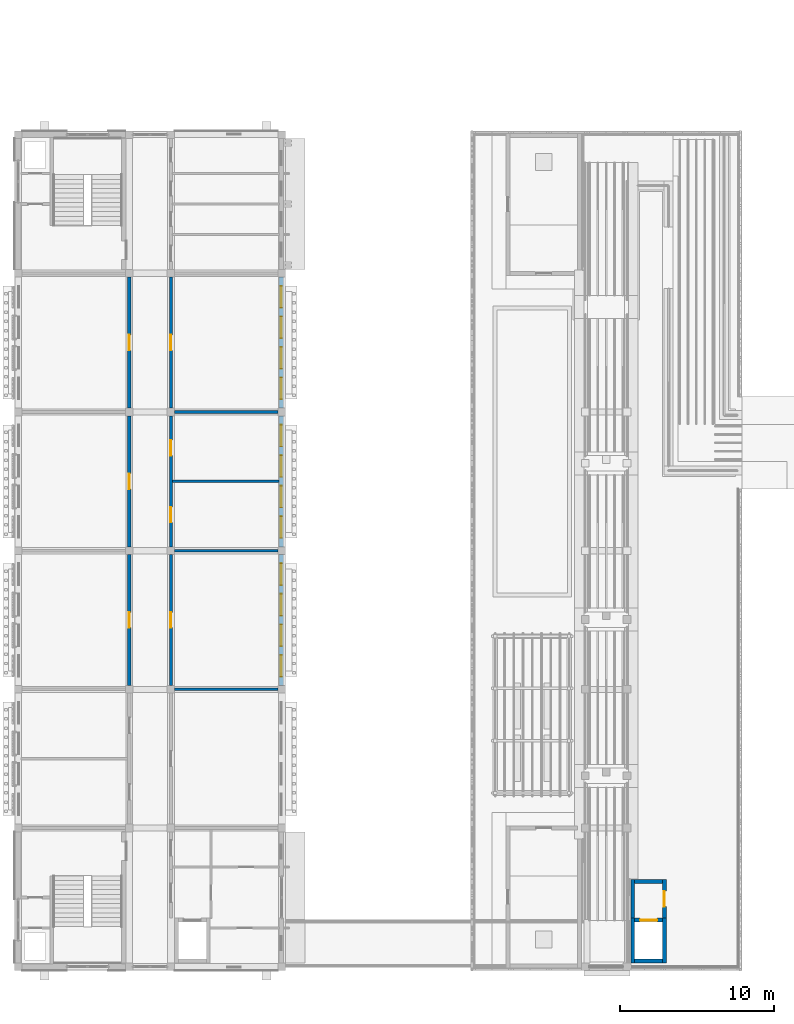
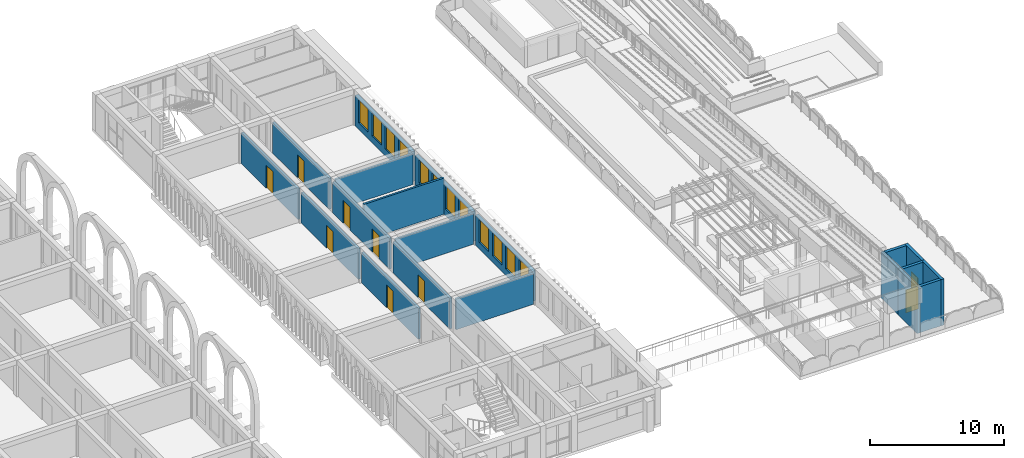
# One storey, part 44 of 70: 20 walls, 12 windows, 9 doors, 21 openings.
"""IFC4 building model written with IfcOpenShell, lengths in metres."""

from ifc_helpers import new_model, si_unit, direction, frame, frame_2d, origin, place, context, subcontext, project, spatial, rectangle, extrude, material, layer, layer_set, type_object, element, fill, save


model = new_model("IFC4")

# Units and contexts
model_context = context("Model", 3, precision=1e-05, world=origin(), true_north=direction((0.0, 1.0)))
body_context = subcontext(model_context, "Body", "Model", "MODEL_VIEW")
ifc_project = project(units=[si_unit("LENGTHUNIT", "METRE"), si_unit("AREAUNIT", "SQUARE_METRE"), si_unit("VOLUMEUNIT", "CUBIC_METRE"), si_unit("PLANEANGLEUNIT", "RADIAN"), si_unit("MASSUNIT", "GRAM", prefix="KILO")], contexts=[model_context])

# Site, building, storey
site_placement = place(None, origin())
site = spatial("IfcSite", under=ifc_project, at=site_placement, CompositionType="ELEMENT")
building_placement = place(site_placement, origin())
building = spatial("IfcBuilding", under=site, at=building_placement, Name="Elbe Cascade School", CompositionType="ELEMENT")
storey_placement = place(building_placement, frame((0.0, 0.0, 8.10009765625)))
storey = spatial("IfcBuildingStorey", under=building, at=storey_placement, Name="L02", CompositionType="ELEMENT", Elevation=8.10009765625)

# Walls
ifc_material_1 = material(Name="Masonry - lime-sand block, plastered", Category="masonry")
ifc_layer_1 = layer(ifc_material_1, 0.175048828125)
ifc_layer_set_1 = layer_set([ifc_layer_1], Name="Masonry - lime-sand block, plastered")
wall_type_1 = type_object("IfcWallType", Name="Bar classroom partition wall lime-sand block 175", PredefinedType="PARTITIONING", material=ifc_layer_set_1)
for number, where, z_axis, x_axis, name in (
    (1, (138.35009765625, 24.0, 0.0), (0.0, 0.0, 1.0), (1.0, 0.0, 0.0), "Bar classroom partition wall lime-sand block 175"),
    (2, (138.35009765625, 33.0, 0.0), (0.0, 0.0, 1.0), (1.0, 0.0, 0.0), "Bar classroom partition wall lime-sand block 175"),
):
    element("IfcWall", number, at=place(storey_placement, frame(where, z_axis=z_axis, x_axis=x_axis)), inside=storey, type_object=wall_type_1, Name=name, PredefinedType="PARTITIONING", context=body_context, shape_type="SweptSolid", body=[
        extrude(rectangle(XDim=6.699951171875, YDim=0.175048828125, at=frame_2d((3.35009765625, 0.0))), origin(), (0.0, 0.0, 1.0), 2.7998046875),
    ])
wall_1_placement = place(storey_placement, frame((138.199951171875, 37.5, 0.0), z_axis=(0.0, 0.0, 1.0), x_axis=(1.0, 0.0, 0.0)))
element("IfcWall", 3, at=wall_1_placement, inside=storey, type_object=wall_type_1, Name="Bar classroom partition wall lime-sand block 175", PredefinedType="PARTITIONING", context=body_context, shape_type="SweptSolid", body=[
    extrude(rectangle(XDim=6.920166015625, YDim=0.175048828125, at=frame_2d((3.4599609375, 0.0))), origin(), (0.0, 0.0, 1.0), 3.2998046875),
])
wall_2_placement = place(storey_placement, frame((138.35009765625, 42.0, 0.0), z_axis=(0.0, 0.0, 1.0), x_axis=(1.0, 0.0, 0.0)))
element("IfcWall", 4, at=wall_2_placement, inside=storey, type_object=wall_type_1, Name="Bar classroom partition wall lime-sand block 175", PredefinedType="PARTITIONING", context=body_context, shape_type="SweptSolid", body=[
    extrude(rectangle(XDim=6.699951171875, YDim=0.175048828125, at=frame_2d((3.35009765625, 0.0))), origin(), (0.0, 0.0, 1.0), 2.7998046875),
])

# Wall, opening, door
ifc_material_2 = material(Name="Masonry - lime-sand block, plastered", Category="masonry")
ifc_layer_2 = layer(ifc_material_2, 0.199951171875)
ifc_layer_set_2 = layer_set([ifc_layer_2], Name="Masonry - lime-sand block, plastered")
wall_type_2 = type_object("IfcWallType", Name="Bar corridor wall lime-sand block 200 EI 30", PredefinedType="PARTITIONING", material=ifc_layer_set_2)
wall_3_placement = place(storey_placement, frame((135.39990234375, 24.25, 0.0), z_axis=(0.0, 0.0, 1.0), x_axis=(0.0, 1.0, 0.0)))
wall_3 = element("IfcWall", 5, at=wall_3_placement, inside=storey, type_object=wall_type_2, Name="Bar corridor wall lime-sand block 200 EI 30", PredefinedType="PARTITIONING", context=body_context, shape_type="SweptSolid", body=[
    extrude(rectangle(XDim=8.5, YDim=0.199951171875, at=frame_2d((4.25, 0.0))), origin(), (0.0, 0.0, 1.0), 2.7998046875),
])
opening_1_placement = place(wall_3_placement, frame((3.75, 0.0, 0.0)))
opening_1 = element("IfcOpeningElement", 6, at=opening_1_placement, cuts=wall_3, Name="Opening D2.066", PredefinedType="OPENING", context=body_context, shape_type="SweptSolid", body=[
    extrude(rectangle(XDim=1.0, YDim=2.10009765625, at=frame_2d((0.5, 1.050048828125))), frame((0.0, 0.10986328125, 0.0), z_axis=(0.0, -1.0, 0.0), x_axis=(1.0, 0.0, 0.0)), (0.0, 0.0, 1.0), 0.219970703125),
])
ifc_material_3 = material(Name="Timber door leaf, fire-resisting, steel frame", Category="steel")
door_type_1 = type_object("IfcDoorType", Name="Bar door FD30 1000x2100", OperationType="NOTDEFINED", PredefinedType="DOOR", material=ifc_material_3)
door_1_placement = place(opening_1_placement, origin())
door_1 = element("IfcDoor", 7, at=door_1_placement, inside=storey, type_object=door_type_1, Name="Door C2.21", OperationType="SINGLE_SWING_RIGHT", OverallHeight=2.10009765625, OverallWidth=1.0, PredefinedType="DOOR", context=body_context, shape_type="SweptSolid", body=[
    extrude(rectangle(XDim=1.0, YDim=2.10009765625, at=frame_2d((0.5, 1.050048828125))), frame((0.0, 0.02490234375, 0.0), z_axis=(0.0, -1.0, 0.0), x_axis=(1.0, 0.0, 0.0)), (0.0, 0.0, 1.0), 0.050048828125),
])
fill(opening_1, door_1)

wall_4_placement = place(storey_placement, frame((135.39990234375, 33.25, 0.0), z_axis=(0.0, 0.0, 1.0), x_axis=(0.0, 1.0, 0.0)))
wall_4 = element("IfcWall", 8, at=wall_4_placement, inside=storey, type_object=wall_type_2, Name="Bar corridor wall lime-sand block 200 EI 30", PredefinedType="PARTITIONING", context=body_context, shape_type="SweptSolid", body=[
    extrude(rectangle(XDim=8.5, YDim=0.199951171875, at=frame_2d((4.25, 0.0))), origin(), (0.0, 0.0, 1.0), 2.7998046875),
])
opening_2_placement = place(wall_4_placement, frame((3.75, 0.0, 0.0)))
opening_2 = element("IfcOpeningElement", 9, at=opening_2_placement, cuts=wall_4, Name="Opening D2.069", PredefinedType="OPENING", context=body_context, shape_type="SweptSolid", body=[
    extrude(rectangle(XDim=1.0, YDim=2.10009765625, at=frame_2d((0.5, 1.050048828125))), frame((0.0, 0.10986328125, 0.0), z_axis=(0.0, -1.0, 0.0), x_axis=(1.0, 0.0, 0.0)), (0.0, 0.0, 1.0), 0.219970703125),
])
door_2_placement = place(opening_2_placement, origin())
door_2 = element("IfcDoor", 10, at=door_2_placement, inside=storey, type_object=door_type_1, Name="Door C2.22", OperationType="SINGLE_SWING_LEFT", OverallHeight=2.10009765625, OverallWidth=1.0, PredefinedType="DOOR", context=body_context, shape_type="SweptSolid", body=[
    extrude(rectangle(XDim=1.0, YDim=2.10009765625, at=frame_2d((0.5, 1.050048828125))), frame((0.0, 0.02490234375, 0.0), z_axis=(0.0, -1.0, 0.0), x_axis=(1.0, 0.0, 0.0)), (0.0, 0.0, 1.0), 0.050048828125),
])
fill(opening_2, door_2)

wall_5_placement = place(storey_placement, frame((135.39990234375, 42.25, 0.0), z_axis=(0.0, 0.0, 1.0), x_axis=(0.0, 1.0, 0.0)))
wall_5 = element("IfcWall", 11, at=wall_5_placement, inside=storey, type_object=wall_type_2, Name="Bar corridor wall lime-sand block 200 EI 30", PredefinedType="PARTITIONING", context=body_context, shape_type="SweptSolid", body=[
    extrude(rectangle(XDim=8.5, YDim=0.199951171875, at=frame_2d((4.25, 0.0))), origin(), (0.0, 0.0, 1.0), 2.7998046875),
])
opening_3_placement = place(wall_5_placement, frame((3.75, 0.0, 0.0)))
opening_3 = element("IfcOpeningElement", 12, at=opening_3_placement, cuts=wall_5, Name="Opening D2.071", PredefinedType="OPENING", context=body_context, shape_type="SweptSolid", body=[
    extrude(rectangle(XDim=1.0, YDim=2.10009765625, at=frame_2d((0.5, 1.050048828125))), frame((0.0, 0.10986328125, 0.0), z_axis=(0.0, -1.0, 0.0), x_axis=(1.0, 0.0, 0.0)), (0.0, 0.0, 1.0), 0.219970703125),
])
door_3_placement = place(opening_3_placement, origin())
door_3 = element("IfcDoor", 13, at=door_3_placement, inside=storey, type_object=door_type_1, Name="Door C2.23", OperationType="SINGLE_SWING_RIGHT", OverallHeight=2.10009765625, OverallWidth=1.0, PredefinedType="DOOR", context=body_context, shape_type="SweptSolid", body=[
    extrude(rectangle(XDim=1.0, YDim=2.10009765625, at=frame_2d((0.5, 1.050048828125))), frame((0.0, 0.02490234375, 0.0), z_axis=(0.0, -1.0, 0.0), x_axis=(1.0, 0.0, 0.0)), (0.0, 0.0, 1.0), 0.050048828125),
])
fill(opening_3, door_3)

wall_6_placement = place(storey_placement, frame((138.10009765625, 32.75, 0.0), z_axis=(0.0, 0.0, 1.0), x_axis=(0.0, -1.0, 0.0)))
wall_6 = element("IfcWall", 14, at=wall_6_placement, inside=storey, type_object=wall_type_2, Name="Bar corridor wall lime-sand block 200 EI 30", PredefinedType="PARTITIONING", context=body_context, shape_type="SweptSolid", body=[
    extrude(rectangle(XDim=8.5, YDim=0.199951171875, at=frame_2d((4.25, 0.0))), origin(), (0.0, 0.0, 1.0), 2.7998046875),
])
opening_4_placement = place(wall_6_placement, frame((3.75, 0.0, 0.0)))
opening_4 = element("IfcOpeningElement", 15, at=opening_4_placement, cuts=wall_6, Name="Opening D2.067", PredefinedType="OPENING", context=body_context, shape_type="SweptSolid", body=[
    extrude(rectangle(XDim=1.0, YDim=2.10009765625, at=frame_2d((0.5, 1.050048828125))), frame((0.0, 0.10986328125, 0.0), z_axis=(0.0, -1.0, 0.0), x_axis=(1.0, 0.0, 0.0)), (0.0, 0.0, 1.0), 0.219970703125),
])
door_4_placement = place(opening_4_placement, origin())
door_4 = element("IfcDoor", 16, at=door_4_placement, inside=storey, type_object=door_type_1, Name="Door C2.25", OperationType="SINGLE_SWING_RIGHT", OverallHeight=2.10009765625, OverallWidth=1.0, PredefinedType="DOOR", context=body_context, shape_type="SweptSolid", body=[
    extrude(rectangle(XDim=1.0, YDim=2.10009765625, at=frame_2d((0.5, 1.050048828125))), frame((0.0, 0.02490234375, 0.0), z_axis=(0.0, -1.0, 0.0), x_axis=(1.0, 0.0, 0.0)), (0.0, 0.0, 1.0), 0.050048828125),
])
fill(opening_4, door_4)

# Wall, openings, doors
wall_7_placement = place(storey_placement, frame((138.10009765625, 41.75, 0.0), z_axis=(0.0, 0.0, 1.0), x_axis=(0.0, -1.0, 0.0)))
wall_7 = element("IfcWall", 17, at=wall_7_placement, inside=storey, type_object=wall_type_2, Name="Bar corridor wall lime-sand block 200 EI 30", PredefinedType="PARTITIONING", context=body_context, shape_type="SweptSolid", body=[
    extrude(rectangle(XDim=8.5, YDim=0.199951171875, at=frame_2d((4.25, 0.0))), origin(), (0.0, 0.0, 1.0), 2.7998046875),
])
opening_5_placement = place(wall_7_placement, frame((5.918701171875, 0.0, 0.0)))
opening_5 = element("IfcOpeningElement", 18, at=opening_5_placement, cuts=wall_7, Name="Opening D2.068", PredefinedType="OPENING", context=body_context, shape_type="SweptSolid", body=[
    extrude(rectangle(XDim=1.0, YDim=2.10009765625, at=frame_2d((0.5, 1.050048828125))), frame((0.0, 0.10986328125, 0.0), z_axis=(0.0, -1.0, 0.0), x_axis=(1.0, 0.0, 0.0)), (0.0, 0.0, 1.0), 0.219970703125),
])
opening_6_placement = place(wall_7_placement, frame((1.581298828125, 0.0, 0.0)))
opening_6 = element("IfcOpeningElement", 19, at=opening_6_placement, cuts=wall_7, Name="Opening D2.070", PredefinedType="OPENING", context=body_context, shape_type="SweptSolid", body=[
    extrude(rectangle(XDim=1.0, YDim=2.10009765625, at=frame_2d((0.5, 1.050048828125))), frame((0.0, 0.10986328125, 0.0), z_axis=(0.0, -1.0, 0.0), x_axis=(1.0, 0.0, 0.0)), (0.0, 0.0, 1.0), 0.219970703125),
])
door_5_placement = place(opening_5_placement, origin())
door_5 = element("IfcDoor", 20, at=door_5_placement, inside=storey, type_object=door_type_1, Name="Door C2.26", OperationType="SINGLE_SWING_LEFT", OverallHeight=2.10009765625, OverallWidth=1.0, PredefinedType="DOOR", context=body_context, shape_type="SweptSolid", body=[
    extrude(rectangle(XDim=1.0, YDim=2.10009765625, at=frame_2d((0.5, 1.050048828125))), frame((0.0, 0.02490234375, 0.0), z_axis=(0.0, -1.0, 0.0), x_axis=(1.0, 0.0, 0.0)), (0.0, 0.0, 1.0), 0.050048828125),
])
fill(opening_5, door_5)
door_6_placement = place(opening_6_placement, origin())
door_6 = element("IfcDoor", 21, at=door_6_placement, inside=storey, type_object=door_type_1, Name="Door C2.27", OperationType="SINGLE_SWING_RIGHT", OverallHeight=2.10009765625, OverallWidth=1.0, PredefinedType="DOOR", context=body_context, shape_type="SweptSolid", body=[
    extrude(rectangle(XDim=1.0, YDim=2.10009765625, at=frame_2d((0.5, 1.050048828125))), frame((0.0, 0.02490234375, 0.0), z_axis=(0.0, -1.0, 0.0), x_axis=(1.0, 0.0, 0.0)), (0.0, 0.0, 1.0), 0.050048828125),
])
fill(opening_6, door_6)

# Wall, opening, door
wall_8_placement = place(storey_placement, frame((138.10009765625, 50.75, 0.0), z_axis=(0.0, 0.0, 1.0), x_axis=(0.0, -1.0, 0.0)))
wall_8 = element("IfcWall", 22, at=wall_8_placement, inside=storey, type_object=wall_type_2, Name="Bar corridor wall lime-sand block 200 EI 30", PredefinedType="PARTITIONING", context=body_context, shape_type="SweptSolid", body=[
    extrude(rectangle(XDim=8.5, YDim=0.199951171875, at=frame_2d((4.25, 0.0))), origin(), (0.0, 0.0, 1.0), 2.7998046875),
])
opening_7_placement = place(wall_8_placement, frame((3.75, 0.0, 0.0)))
opening_7 = element("IfcOpeningElement", 23, at=opening_7_placement, cuts=wall_8, Name="Opening D2.072", PredefinedType="OPENING", context=body_context, shape_type="SweptSolid", body=[
    extrude(rectangle(XDim=1.0, YDim=2.10009765625, at=frame_2d((0.5, 1.050048828125))), frame((0.0, 0.10986328125, 0.0), z_axis=(0.0, -1.0, 0.0), x_axis=(1.0, 0.0, 0.0)), (0.0, 0.0, 1.0), 0.219970703125),
])
door_7_placement = place(opening_7_placement, origin())
door_7 = element("IfcDoor", 24, at=door_7_placement, inside=storey, type_object=door_type_1, Name="Door C2.28", OperationType="SINGLE_SWING_LEFT", OverallHeight=2.10009765625, OverallWidth=1.0, PredefinedType="DOOR", context=body_context, shape_type="SweptSolid", body=[
    extrude(rectangle(XDim=1.0, YDim=2.10009765625, at=frame_2d((0.5, 1.050048828125))), frame((0.0, 0.02490234375, 0.0), z_axis=(0.0, -1.0, 0.0), x_axis=(1.0, 0.0, 0.0)), (0.0, 0.0, 1.0), 0.050048828125),
])
fill(opening_7, door_7)

# Wall, openings, windows
ifc_material_4 = material(Name="Brick masonry - red clinker, cavity wall with render backing", Category="masonry")
ifc_layer_3 = layer(ifc_material_4, 0.300048828125)
ifc_layer_set_3 = layer_set([ifc_layer_3], Name="Brick masonry - red clinker, cavity wall with render backing")
wall_type_3 = type_object("IfcWallType", Name="Bars envelope External wall - clinker brick cavity, 300 upper floors", PredefinedType="STANDARD", material=ifc_layer_set_3)
wall_9_placement = place(storey_placement, frame((145.27001953125, 32.75, 0.0), z_axis=(0.0, 0.0, 1.0), x_axis=(0.0, -1.0, 0.0)))
wall_9 = element("IfcWall", 25, at=wall_9_placement, inside=storey, type_object=wall_type_3, Name="External wall W30 C.L02.e3", PredefinedType="STANDARD", context=body_context, shape_type="SweptSolid", body=[
    extrude(rectangle(XDim=8.5, YDim=0.300048828125, at=frame_2d((4.25, 0.0))), origin(), (0.0, 0.0, 1.0), 2.75),
])
opening_8_placement = place(wall_9_placement, frame((6.52001953125, 0.0, 0.60009765625)))
opening_8 = element("IfcOpeningElement", 26, at=opening_8_placement, cuts=wall_9, Name="Opening W2.091", PredefinedType="OPENING", context=body_context, shape_type="SweptSolid", body=[
    extrude(rectangle(XDim=1.39990234375, YDim=2.10009765625, at=frame_2d((0.699951171875, 1.050048828125))), frame((0.0, 0.159912109375, 0.0), z_axis=(0.0, -1.0, 0.0), x_axis=(1.0, 0.0, 0.0)), (0.0, 0.0, 1.0), 0.320068359375),
])
opening_9_placement = place(wall_9_placement, frame((4.5400390625, 0.0, 0.60009765625)))
opening_9 = element("IfcOpeningElement", 27, at=opening_9_placement, cuts=wall_9, Name="Opening W2.093", PredefinedType="OPENING", context=body_context, shape_type="SweptSolid", body=[
    extrude(rectangle(XDim=1.39990234375, YDim=2.10009765625, at=frame_2d((0.699951171875, 1.050048828125))), frame((0.0, 0.159912109375, 0.0), z_axis=(0.0, -1.0, 0.0), x_axis=(1.0, 0.0, 0.0)), (0.0, 0.0, 1.0), 0.320068359375),
])
opening_10_placement = place(wall_9_placement, frame((2.56005859375, 0.0, 0.60009765625)))
opening_10 = element("IfcOpeningElement", 28, at=opening_10_placement, cuts=wall_9, Name="Opening W2.095", PredefinedType="OPENING", context=body_context, shape_type="SweptSolid", body=[
    extrude(rectangle(XDim=1.39990234375, YDim=2.10009765625, at=frame_2d((0.699951171875, 1.050048828125))), frame((0.0, 0.159912109375, 0.0), z_axis=(0.0, -1.0, 0.0), x_axis=(1.0, 0.0, 0.0)), (0.0, 0.0, 1.0), 0.320068359375),
])
opening_11_placement = place(wall_9_placement, frame((0.580078125, 0.0, 0.60009765625)))
opening_11 = element("IfcOpeningElement", 29, at=opening_11_placement, cuts=wall_9, Name="Opening W2.097", PredefinedType="OPENING", context=body_context, shape_type="SweptSolid", body=[
    extrude(rectangle(XDim=1.39990234375, YDim=2.10009765625, at=frame_2d((0.699951171875, 1.050048828125))), frame((0.0, 0.159912109375, 0.0), z_axis=(0.0, -1.0, 0.0), x_axis=(1.0, 0.0, 0.0)), (0.0, 0.0, 1.0), 0.320068359375),
])
ifc_material_5 = material(Name="Aluminium frame with double glazing, bronze anodised", Category="aluminium")
window_type = type_object("IfcWindowType", Name="Bars envelope Window 1400 x 2100, classroom, aluminium double glazed", PartitioningType="DOUBLE_PANEL_VERTICAL", PredefinedType="WINDOW", material=ifc_material_5)
window_1_placement = place(opening_8_placement, origin())
window_1 = element("IfcWindow", 30, at=window_1_placement, inside=storey, type_object=window_type, Name="Window WN8 C.L02.e3.1", OverallHeight=2.10009765625, OverallWidth=1.39990234375, PartitioningType="DOUBLE_PANEL_VERTICAL", PredefinedType="WINDOW", context=body_context, shape_type="SweptSolid", body=[
    extrude(rectangle(XDim=1.39990234375, YDim=2.10009765625, at=frame_2d((0.699951171875, 1.050048828125))), frame((0.0, 0.030029296875, 0.0), z_axis=(0.0, -1.0, 0.0), x_axis=(1.0, 0.0, 0.0)), (0.0, 0.0, 1.0), 0.06005859375),
])
fill(opening_8, window_1)
window_2_placement = place(opening_9_placement, origin())
window_2 = element("IfcWindow", 31, at=window_2_placement, inside=storey, type_object=window_type, Name="Window WN8 C.L02.e3.2", OverallHeight=2.10009765625, OverallWidth=1.39990234375, PartitioningType="DOUBLE_PANEL_VERTICAL", PredefinedType="WINDOW", context=body_context, shape_type="SweptSolid", body=[
    extrude(rectangle(XDim=1.39990234375, YDim=2.10009765625, at=frame_2d((0.699951171875, 1.050048828125))), frame((0.0, 0.030029296875, 0.0), z_axis=(0.0, -1.0, 0.0), x_axis=(1.0, 0.0, 0.0)), (0.0, 0.0, 1.0), 0.06005859375),
])
fill(opening_9, window_2)
window_3_placement = place(opening_10_placement, origin())
window_3 = element("IfcWindow", 32, at=window_3_placement, inside=storey, type_object=window_type, Name="Window WN8 C.L02.e3.3", OverallHeight=2.10009765625, OverallWidth=1.39990234375, PartitioningType="DOUBLE_PANEL_VERTICAL", PredefinedType="WINDOW", context=body_context, shape_type="SweptSolid", body=[
    extrude(rectangle(XDim=1.39990234375, YDim=2.10009765625, at=frame_2d((0.699951171875, 1.050048828125))), frame((0.0, 0.030029296875, 0.0), z_axis=(0.0, -1.0, 0.0), x_axis=(1.0, 0.0, 0.0)), (0.0, 0.0, 1.0), 0.06005859375),
])
fill(opening_10, window_3)
window_4_placement = place(opening_11_placement, origin())
window_4 = element("IfcWindow", 33, at=window_4_placement, inside=storey, type_object=window_type, Name="Window WN8 C.L02.e3.4", OverallHeight=2.10009765625, OverallWidth=1.39990234375, PartitioningType="DOUBLE_PANEL_VERTICAL", PredefinedType="WINDOW", context=body_context, shape_type="SweptSolid", body=[
    extrude(rectangle(XDim=1.39990234375, YDim=2.10009765625, at=frame_2d((0.699951171875, 1.050048828125))), frame((0.0, 0.030029296875, 0.0), z_axis=(0.0, -1.0, 0.0), x_axis=(1.0, 0.0, 0.0)), (0.0, 0.0, 1.0), 0.06005859375),
])
fill(opening_11, window_4)

wall_10_placement = place(storey_placement, frame((145.27001953125, 41.75, 0.0), z_axis=(0.0, 0.0, 1.0), x_axis=(0.0, -1.0, 0.0)))
wall_10 = element("IfcWall", 34, at=wall_10_placement, inside=storey, type_object=wall_type_3, Name="External wall W30 C.L02.e4", PredefinedType="STANDARD", context=body_context, shape_type="SweptSolid", body=[
    extrude(rectangle(XDim=8.5, YDim=0.300048828125, at=frame_2d((4.25, 0.0))), origin(), (0.0, 0.0, 1.0), 2.75),
])
opening_12_placement = place(wall_10_placement, frame((6.52001953125, 0.0, 0.60009765625)))
opening_12 = element("IfcOpeningElement", 35, at=opening_12_placement, cuts=wall_10, Name="Opening W2.099", PredefinedType="OPENING", context=body_context, shape_type="SweptSolid", body=[
    extrude(rectangle(XDim=1.39990234375, YDim=2.10009765625, at=frame_2d((0.699951171875, 1.050048828125))), frame((0.0, 0.159912109375, 0.0), z_axis=(0.0, -1.0, 0.0), x_axis=(1.0, 0.0, 0.0)), (0.0, 0.0, 1.0), 0.320068359375),
])
opening_13_placement = place(wall_10_placement, frame((4.5400390625, 0.0, 0.60009765625)))
opening_13 = element("IfcOpeningElement", 36, at=opening_13_placement, cuts=wall_10, Name="Opening W2.101", PredefinedType="OPENING", context=body_context, shape_type="SweptSolid", body=[
    extrude(rectangle(XDim=1.39990234375, YDim=2.10009765625, at=frame_2d((0.699951171875, 1.050048828125))), frame((0.0, 0.159912109375, 0.0), z_axis=(0.0, -1.0, 0.0), x_axis=(1.0, 0.0, 0.0)), (0.0, 0.0, 1.0), 0.320068359375),
])
opening_14_placement = place(wall_10_placement, frame((2.56005859375, 0.0, 0.60009765625)))
opening_14 = element("IfcOpeningElement", 37, at=opening_14_placement, cuts=wall_10, Name="Opening W2.103", PredefinedType="OPENING", context=body_context, shape_type="SweptSolid", body=[
    extrude(rectangle(XDim=1.39990234375, YDim=2.10009765625, at=frame_2d((0.699951171875, 1.050048828125))), frame((0.0, 0.159912109375, 0.0), z_axis=(0.0, -1.0, 0.0), x_axis=(1.0, 0.0, 0.0)), (0.0, 0.0, 1.0), 0.320068359375),
])
opening_15_placement = place(wall_10_placement, frame((0.580078125, 0.0, 0.60009765625)))
opening_15 = element("IfcOpeningElement", 38, at=opening_15_placement, cuts=wall_10, Name="Opening W2.105", PredefinedType="OPENING", context=body_context, shape_type="SweptSolid", body=[
    extrude(rectangle(XDim=1.39990234375, YDim=2.10009765625, at=frame_2d((0.699951171875, 1.050048828125))), frame((0.0, 0.159912109375, 0.0), z_axis=(0.0, -1.0, 0.0), x_axis=(1.0, 0.0, 0.0)), (0.0, 0.0, 1.0), 0.320068359375),
])
window_5_placement = place(opening_12_placement, origin())
window_5 = element("IfcWindow", 39, at=window_5_placement, inside=storey, type_object=window_type, Name="Window WN8 C.L02.e4.1", OverallHeight=2.10009765625, OverallWidth=1.39990234375, PartitioningType="DOUBLE_PANEL_VERTICAL", PredefinedType="WINDOW", context=body_context, shape_type="SweptSolid", body=[
    extrude(rectangle(XDim=1.39990234375, YDim=2.10009765625, at=frame_2d((0.699951171875, 1.050048828125))), frame((0.0, 0.030029296875, 0.0), z_axis=(0.0, -1.0, 0.0), x_axis=(1.0, 0.0, 0.0)), (0.0, 0.0, 1.0), 0.06005859375),
])
fill(opening_12, window_5)
window_6_placement = place(opening_13_placement, origin())
window_6 = element("IfcWindow", 40, at=window_6_placement, inside=storey, type_object=window_type, Name="Window WN8 C.L02.e4.2", OverallHeight=2.10009765625, OverallWidth=1.39990234375, PartitioningType="DOUBLE_PANEL_VERTICAL", PredefinedType="WINDOW", context=body_context, shape_type="SweptSolid", body=[
    extrude(rectangle(XDim=1.39990234375, YDim=2.10009765625, at=frame_2d((0.699951171875, 1.050048828125))), frame((0.0, 0.030029296875, 0.0), z_axis=(0.0, -1.0, 0.0), x_axis=(1.0, 0.0, 0.0)), (0.0, 0.0, 1.0), 0.06005859375),
])
fill(opening_13, window_6)
window_7_placement = place(opening_14_placement, origin())
window_7 = element("IfcWindow", 41, at=window_7_placement, inside=storey, type_object=window_type, Name="Window WN8 C.L02.e4.3", OverallHeight=2.10009765625, OverallWidth=1.39990234375, PartitioningType="DOUBLE_PANEL_VERTICAL", PredefinedType="WINDOW", context=body_context, shape_type="SweptSolid", body=[
    extrude(rectangle(XDim=1.39990234375, YDim=2.10009765625, at=frame_2d((0.699951171875, 1.050048828125))), frame((0.0, 0.030029296875, 0.0), z_axis=(0.0, -1.0, 0.0), x_axis=(1.0, 0.0, 0.0)), (0.0, 0.0, 1.0), 0.06005859375),
])
fill(opening_14, window_7)
window_8_placement = place(opening_15_placement, origin())
window_8 = element("IfcWindow", 42, at=window_8_placement, inside=storey, type_object=window_type, Name="Window WN8 C.L02.e4.4", OverallHeight=2.10009765625, OverallWidth=1.39990234375, PartitioningType="DOUBLE_PANEL_VERTICAL", PredefinedType="WINDOW", context=body_context, shape_type="SweptSolid", body=[
    extrude(rectangle(XDim=1.39990234375, YDim=2.10009765625, at=frame_2d((0.699951171875, 1.050048828125))), frame((0.0, 0.030029296875, 0.0), z_axis=(0.0, -1.0, 0.0), x_axis=(1.0, 0.0, 0.0)), (0.0, 0.0, 1.0), 0.06005859375),
])
fill(opening_15, window_8)

wall_11_placement = place(storey_placement, frame((145.27001953125, 50.75, 0.0), z_axis=(0.0, 0.0, 1.0), x_axis=(0.0, -1.0, 0.0)))
wall_11 = element("IfcWall", 43, at=wall_11_placement, inside=storey, type_object=wall_type_3, Name="External wall W30 C.L02.e5", PredefinedType="STANDARD", context=body_context, shape_type="SweptSolid", body=[
    extrude(rectangle(XDim=8.5, YDim=0.300048828125, at=frame_2d((4.25, 0.0))), origin(), (0.0, 0.0, 1.0), 2.75),
])
opening_16_placement = place(wall_11_placement, frame((6.52001953125, 0.0, 0.60009765625)))
opening_16 = element("IfcOpeningElement", 44, at=opening_16_placement, cuts=wall_11, Name="Opening W2.107", PredefinedType="OPENING", context=body_context, shape_type="SweptSolid", body=[
    extrude(rectangle(XDim=1.39990234375, YDim=2.10009765625, at=frame_2d((0.699951171875, 1.050048828125))), frame((0.0, 0.159912109375, 0.0), z_axis=(0.0, -1.0, 0.0), x_axis=(1.0, 0.0, 0.0)), (0.0, 0.0, 1.0), 0.320068359375),
])
opening_17_placement = place(wall_11_placement, frame((4.5400390625, 0.0, 0.60009765625)))
opening_17 = element("IfcOpeningElement", 45, at=opening_17_placement, cuts=wall_11, Name="Opening W2.109", PredefinedType="OPENING", context=body_context, shape_type="SweptSolid", body=[
    extrude(rectangle(XDim=1.39990234375, YDim=2.10009765625, at=frame_2d((0.699951171875, 1.050048828125))), frame((0.0, 0.159912109375, 0.0), z_axis=(0.0, -1.0, 0.0), x_axis=(1.0, 0.0, 0.0)), (0.0, 0.0, 1.0), 0.320068359375),
])
opening_18_placement = place(wall_11_placement, frame((2.56005859375, 0.0, 0.60009765625)))
opening_18 = element("IfcOpeningElement", 46, at=opening_18_placement, cuts=wall_11, Name="Opening W2.111", PredefinedType="OPENING", context=body_context, shape_type="SweptSolid", body=[
    extrude(rectangle(XDim=1.39990234375, YDim=2.10009765625, at=frame_2d((0.699951171875, 1.050048828125))), frame((0.0, 0.159912109375, 0.0), z_axis=(0.0, -1.0, 0.0), x_axis=(1.0, 0.0, 0.0)), (0.0, 0.0, 1.0), 0.320068359375),
])
opening_19_placement = place(wall_11_placement, frame((0.580078125, 0.0, 0.60009765625)))
opening_19 = element("IfcOpeningElement", 47, at=opening_19_placement, cuts=wall_11, Name="Opening W2.113", PredefinedType="OPENING", context=body_context, shape_type="SweptSolid", body=[
    extrude(rectangle(XDim=1.39990234375, YDim=2.10009765625, at=frame_2d((0.699951171875, 1.050048828125))), frame((0.0, 0.159912109375, 0.0), z_axis=(0.0, -1.0, 0.0), x_axis=(1.0, 0.0, 0.0)), (0.0, 0.0, 1.0), 0.320068359375),
])
window_9_placement = place(opening_16_placement, origin())
window_9 = element("IfcWindow", 48, at=window_9_placement, inside=storey, type_object=window_type, Name="Window WN8 C.L02.e5.1", OverallHeight=2.10009765625, OverallWidth=1.39990234375, PartitioningType="DOUBLE_PANEL_VERTICAL", PredefinedType="WINDOW", context=body_context, shape_type="SweptSolid", body=[
    extrude(rectangle(XDim=1.39990234375, YDim=2.10009765625, at=frame_2d((0.699951171875, 1.050048828125))), frame((0.0, 0.030029296875, 0.0), z_axis=(0.0, -1.0, 0.0), x_axis=(1.0, 0.0, 0.0)), (0.0, 0.0, 1.0), 0.06005859375),
])
fill(opening_16, window_9)
window_10_placement = place(opening_17_placement, origin())
window_10 = element("IfcWindow", 49, at=window_10_placement, inside=storey, type_object=window_type, Name="Window WN8 C.L02.e5.2", OverallHeight=2.10009765625, OverallWidth=1.39990234375, PartitioningType="DOUBLE_PANEL_VERTICAL", PredefinedType="WINDOW", context=body_context, shape_type="SweptSolid", body=[
    extrude(rectangle(XDim=1.39990234375, YDim=2.10009765625, at=frame_2d((0.699951171875, 1.050048828125))), frame((0.0, 0.030029296875, 0.0), z_axis=(0.0, -1.0, 0.0), x_axis=(1.0, 0.0, 0.0)), (0.0, 0.0, 1.0), 0.06005859375),
])
fill(opening_17, window_10)
window_11_placement = place(opening_18_placement, origin())
window_11 = element("IfcWindow", 50, at=window_11_placement, inside=storey, type_object=window_type, Name="Window WN8 C.L02.e5.3", OverallHeight=2.10009765625, OverallWidth=1.39990234375, PartitioningType="DOUBLE_PANEL_VERTICAL", PredefinedType="WINDOW", context=body_context, shape_type="SweptSolid", body=[
    extrude(rectangle(XDim=1.39990234375, YDim=2.10009765625, at=frame_2d((0.699951171875, 1.050048828125))), frame((0.0, 0.030029296875, 0.0), z_axis=(0.0, -1.0, 0.0), x_axis=(1.0, 0.0, 0.0)), (0.0, 0.0, 1.0), 0.06005859375),
])
fill(opening_18, window_11)
window_12_placement = place(opening_19_placement, origin())
window_12 = element("IfcWindow", 51, at=window_12_placement, inside=storey, type_object=window_type, Name="Window WN8 C.L02.e5.4", OverallHeight=2.10009765625, OverallWidth=1.39990234375, PartitioningType="DOUBLE_PANEL_VERTICAL", PredefinedType="WINDOW", context=body_context, shape_type="SweptSolid", body=[
    extrude(rectangle(XDim=1.39990234375, YDim=2.10009765625, at=frame_2d((0.699951171875, 1.050048828125))), frame((0.0, 0.030029296875, 0.0), z_axis=(0.0, -1.0, 0.0), x_axis=(1.0, 0.0, 0.0)), (0.0, 0.0, 1.0), 0.06005859375),
])
fill(opening_19, window_12)

# Wall
ifc_material_6 = material(Name="Concrete C30/37", Category="concrete")
ifc_layer_4 = layer(ifc_material_6, 0.25)
ifc_layer_set_4 = layer_set([ifc_layer_4], Name="Concrete C30/37")
wall_type_4 = type_object("IfcWallType", Name="Head-house wall 250 EI 90", PredefinedType="SOLIDWALL", material=ifc_layer_set_4)
wall_12_placement = place(storey_placement, frame((168.074951171875, 9.14990234375, 0.0), z_axis=(0.0, 0.0, 1.0), x_axis=(0.0, 1.0, 0.0)))
element("IfcWall", 52, at=wall_12_placement, inside=storey, type_object=wall_type_4, Name="Head-house wall 250 EI 90 W44", PredefinedType="SOLIDWALL", context=body_context, shape_type="SweptSolid", body=[
    extrude(rectangle(XDim=2.5, YDim=0.25, at=frame_2d((1.25, 0.0))), origin(), (0.0, 0.0, 1.0), 4.199951171875),
])

# Wall, opening, door
wall_13_placement = place(storey_placement, frame((170.125, 11.64990234375, 0.0), z_axis=(0.0, 0.0, 1.0), x_axis=(0.0, -1.0, 0.0)))
wall_13 = element("IfcWall", 53, at=wall_13_placement, inside=storey, type_object=wall_type_4, Name="Head-house wall 250 EI 90 W44", PredefinedType="SOLIDWALL", context=body_context, shape_type="SweptSolid", body=[
    extrude(rectangle(XDim=2.5, YDim=0.25, at=frame_2d((1.25, 0.0))), origin(), (0.0, 0.0, 1.0), 4.199951171875),
])
opening_20_placement = place(wall_13_placement, frame((0.75, 0.0, 0.0)))
opening_20 = element("IfcOpeningElement", 54, at=opening_20_placement, cuts=wall_13, Name="Opening D2.081", PredefinedType="OPENING", context=body_context, shape_type="SweptSolid", body=[
    extrude(rectangle(XDim=1.0, YDim=2.10009765625, at=frame_2d((0.5, 1.050048828125))), frame((0.0, 0.135009765625, 0.0), z_axis=(0.0, -1.0, 0.0), x_axis=(1.0, 0.0, 0.0)), (0.0, 0.0, 1.0), 0.27001953125),
])
ifc_material_7 = material(Name="Head-house door 1000x2100")
door_type_2 = type_object("IfcDoorType", Name="Head-house door 1000x2100", OperationType="SINGLE_SWING_RIGHT", PredefinedType="DOOR", material=ifc_material_7)
door_8_placement = place(opening_20_placement, origin())
door_8 = element("IfcDoor", 55, at=door_8_placement, inside=storey, type_object=door_type_2, Name="Head-house door 1000x2100 D2.081", OperationType="SINGLE_SWING_RIGHT", OverallHeight=2.10009765625, OverallWidth=1.0, PredefinedType="DOOR", context=body_context, shape_type="SweptSolid", body=[
    extrude(rectangle(XDim=1.0, YDim=2.10009765625, at=frame_2d((0.5, 1.050048828125))), frame((0.0, 0.02490234375, 0.0), z_axis=(0.0, -1.0, 0.0), x_axis=(1.0, 0.0, 0.0)), (0.0, 0.0, 1.0), 0.050048828125),
])
fill(opening_20, door_8)

# Walls
wall_14_placement = place(storey_placement, frame((168.199951171875, 11.52490234375, 0.0), z_axis=(0.0, 0.0, 1.0), x_axis=(1.0, 0.0, 0.0)))
element("IfcWall", 56, at=wall_14_placement, inside=storey, type_object=wall_type_4, Name="Head-house wall 250 EI 90 W44", PredefinedType="SOLIDWALL", context=body_context, shape_type="SweptSolid", body=[
    extrude(rectangle(XDim=1.800048828125, YDim=0.25, at=frame_2d((0.89990234375, 0.0))), origin(), (0.0, 0.0, 1.0), 4.199951171875),
])
ifc_material_8 = material(Name="Concrete C30/37", Category="concrete")
ifc_layer_5 = layer(ifc_material_8, 0.25)
ifc_layer_set_5 = layer_set([ifc_layer_5], Name="Concrete C30/37")
wall_type_5 = type_object("IfcWallType", Name="Shaft wall 250", PredefinedType="SHEAR", material=ifc_layer_set_5)
for number, where, z_axis, x_axis, name in (
    (57, (168.074951171875, 6.25, 0.0), (0.0, 0.0, 1.0), (0.0, 1.0, 0.0), "Shaft wall 250 W1"),
    (58, (170.125, 6.25, 0.0), (0.0, 0.0, 1.0), (0.0, 1.0, 0.0), "Shaft wall 250 W1"),
):
    element("IfcWall", number, at=place(storey_placement, frame(where, z_axis=z_axis, x_axis=x_axis)), inside=storey, type_object=wall_type_5, Name=name, PredefinedType="SHEAR", context=body_context, shape_type="SweptSolid", body=[
        extrude(rectangle(XDim=2.89990234375, YDim=0.25, at=frame_2d((1.449951171875, 0.0))), origin(), (0.0, 0.0, 1.0), 4.199951171875),
    ])
wall_15_placement = place(storey_placement, frame((168.199951171875, 6.375, 0.0), z_axis=(0.0, 0.0, 1.0), x_axis=(1.0, 0.0, 0.0)))
element("IfcWall", 59, at=wall_15_placement, inside=storey, type_object=wall_type_5, Name="Shaft wall 250 W1", PredefinedType="SHEAR", context=body_context, shape_type="SweptSolid", body=[
    extrude(rectangle(XDim=1.800048828125, YDim=0.25, at=frame_2d((0.89990234375, 0.0))), origin(), (0.0, 0.0, 1.0), 4.199951171875),
])

# Wall, opening, door
wall_16_placement = place(storey_placement, frame((168.199951171875, 9.02490234375, 0.0), z_axis=(0.0, 0.0, 1.0), x_axis=(1.0, 0.0, 0.0)))
wall_16 = element("IfcWall", 60, at=wall_16_placement, inside=storey, type_object=wall_type_5, Name="Shaft wall 250 W1", PredefinedType="SHEAR", context=body_context, shape_type="SweptSolid", body=[
    extrude(rectangle(XDim=1.800048828125, YDim=0.25, at=frame_2d((0.89990234375, 0.0))), origin(), (0.0, 0.0, 1.0), 4.199951171875),
])
opening_21_placement = place(wall_16_placement, frame((0.35009765625, 0.0, 0.0)))
opening_21 = element("IfcOpeningElement", 61, at=opening_21_placement, cuts=wall_16, Name="Opening D2.080", PredefinedType="OPENING", context=body_context, shape_type="SweptSolid", body=[
    extrude(rectangle(XDim=1.10009765625, YDim=2.10009765625, at=frame_2d((0.550048828125, 1.050048828125))), frame((0.0, 0.135009765625, 0.0), z_axis=(0.0, -1.0, 0.0), x_axis=(1.0, 0.0, 0.0)), (0.0, 0.0, 1.0), 0.27001953125),
])
ifc_material_9 = material(Name="Stainless steel sliding door leaf", Category="steel")
door_type_3 = type_object("IfcDoorType", Name="Bar lift landing door 1100x2100", OperationType="SLIDING_TO_LEFT", PredefinedType="DOOR", material=ifc_material_9)
door_9_placement = place(opening_21_placement, origin())
door_9 = element("IfcDoor", 62, at=door_9_placement, inside=storey, type_object=door_type_3, Name="Lift landing door LDD2.1", OperationType="SLIDING_TO_LEFT", OverallHeight=2.10009765625, OverallWidth=1.10009765625, PredefinedType="DOOR", context=body_context, shape_type="SweptSolid", body=[
    extrude(rectangle(XDim=1.10009765625, YDim=2.10009765625, at=frame_2d((0.550048828125, 1.050048828125))), frame((0.0, 0.02490234375, 0.0), z_axis=(0.0, -1.0, 0.0), x_axis=(1.0, 0.0, 0.0)), (0.0, 0.0, 1.0), 0.050048828125),
])
fill(opening_21, door_9)

save(model, "model.ifc")
